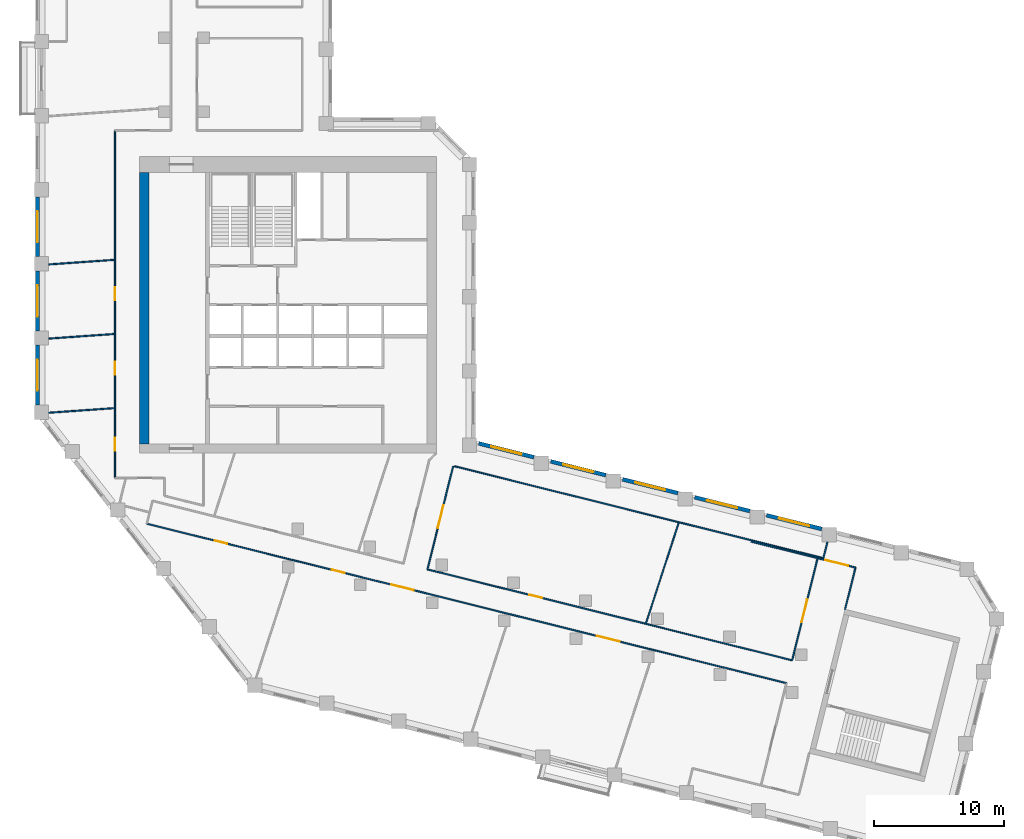
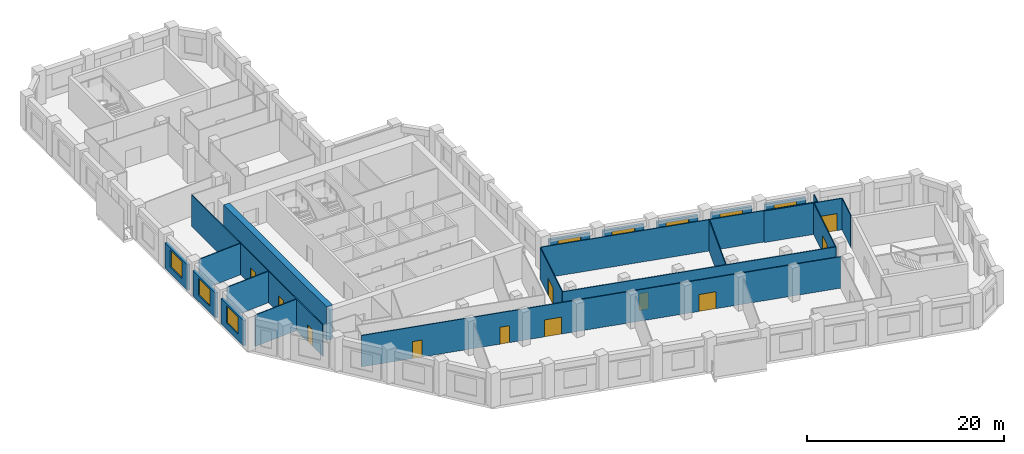
# One storey, part 4 of 10: 23 walls, 11 doors, 8 windows, 19 openings.
"""IFC4 building model written with IfcOpenShell, lengths in metres."""

import ifcopenshell
import ifcopenshell.guid

model = None  # the IFC model being written
_history = None  # IfcOwnerHistory: only IFC2X3 demands one
_inside = {}  # id of a spatial element -> (the spatial element, [elements in it])
_under = {}  # id of a project, library or spatial element -> (it, [spatial elements below it])
_declared = {}  # id of a project -> (the project, [libraries it declares])
_typed = {}  # id of a type object -> (the type object, [elements of that type])
_made_of = {}  # id of a material, layer set ... -> (it, [elements and type objects made of it])


def new_model(schema):
    """Start an empty IFC model of exactly this schema.

    Asked for "IFC4X3", IfcOpenShell would pick the latest addendum, in which some entities
    have other attributes; the version numbers below select the first issue.
    IFC2X3 requires an IfcOwnerHistory on every rooted entity: one is made here for all.
    """
    global model, _history
    if schema == "IFC4X3":
        model = ifcopenshell.file(schema_version=(4, 3, 0, 0))
    else:
        model = ifcopenshell.file(schema=schema)
    _inside.clear()
    _under.clear()
    _declared.clear()
    _typed.clear()
    _made_of.clear()
    _history = None
    if model.schema == "IFC2X3":
        org = make("IfcOrganization", Name="unknown")
        user = make(
            "IfcPersonAndOrganization",
            ThePerson=make("IfcPerson", FamilyName="unknown"),
            TheOrganization=org,
        )
        app = make(
            "IfcApplication",
            ApplicationDeveloper=org,
            Version="unknown",
            ApplicationFullName="unknown",
            ApplicationIdentifier="unknown",
        )
        _history = make(
            "IfcOwnerHistory",
            OwningUser=user,
            OwningApplication=app,
            ChangeAction="ADDED",
            CreationDate=0,
        )
    return model


def make(cls, **values):
    """One entity of the class cls with the attributes given. An attribute that is None is left unset."""
    return model.create_entity(
        cls, **{name: value for name, value in values.items() if value is not None}
    )


def rooted(cls, **values):
    """An entity with a GlobalId (a new one), such as an element, a storey or a relation."""
    return make(cls, GlobalId=ifcopenshell.guid.new(), OwnerHistory=_history, **values)


def si_unit(unit_type, name, prefix=None):
    """IfcSIUnit, for example si_unit("LENGTHUNIT", "METRE", prefix="MILLI")."""
    return make("IfcSIUnit", UnitType=unit_type, Prefix=prefix, Name=name)


def assignment(units):
    """IfcUnitAssignment: the units of a project."""
    return None if units is None else make("IfcUnitAssignment", Units=units)


def point(xyz):
    """IfcCartesianPoint."""
    return None if xyz is None else make("IfcCartesianPoint", Coordinates=xyz)


def direction(xyz):
    """IfcDirection."""
    return None if xyz is None else make("IfcDirection", DirectionRatios=xyz)


def frame(location, z_axis=None, x_axis=None):
    """IfcAxis2Placement3D, a coordinate frame: its origin and axes. An axis left out is left unset."""
    return make(
        "IfcAxis2Placement3D",
        Location=point(location),
        Axis=direction(z_axis),
        RefDirection=direction(x_axis),
    )


def frame_2d(location, x_axis=None):
    """IfcAxis2Placement2D, a coordinate frame in the plane: its origin and x axis."""
    return make(
        "IfcAxis2Placement2D", Location=point(location), RefDirection=direction(x_axis)
    )


def origin():
    """The frame at (0, 0, 0) with its axes left unset."""
    return frame((0.0, 0.0, 0.0))


def place(relative_to, where):
    """IfcLocalPlacement: puts the frame where relative to a parent placement (None: the world)."""
    return make(
        "IfcLocalPlacement", PlacementRelTo=relative_to, RelativePlacement=where
    )


def context(
    kind, dimensions, precision=None, world=None, true_north=None, identifier=None
):
    """IfcGeometricRepresentationContext, for example the 3D "Model" context."""
    return make(
        "IfcGeometricRepresentationContext",
        ContextIdentifier=identifier,
        ContextType=kind,
        CoordinateSpaceDimension=dimensions,
        Precision=precision,
        WorldCoordinateSystem=world,
        TrueNorth=true_north,
    )


def subcontext(parent, identifier, kind, view, scale=None):
    """IfcGeometricRepresentationSubContext, for example "Body" below "Model"."""
    return make(
        "IfcGeometricRepresentationSubContext",
        ContextIdentifier=identifier,
        ContextType=kind,
        ParentContext=parent,
        TargetScale=scale,
        TargetView=view,
    )


def project(units=None, contexts=None):
    """IfcProject with its units and contexts."""
    return rooted(
        "IfcProject",
        Name="project",
        RepresentationContexts=contexts,
        UnitsInContext=assignment(units),
    )


def spatial(cls, under=None, at=None, **own):
    """A site, building, storey or space (cls), placed at a placement, below another one or the project."""
    s = rooted(cls, ObjectPlacement=at, **own)
    if under is not None:
        _under.setdefault(under.id(), (under, []))[1].append(s)
    return s


def profile(cls, at=None, kind="AREA", **sizes):
    """A parametric profile (cls). Its sizes go by their IFC names, for example OverallWidth=200.0."""
    return make(cls, ProfileType=kind, Position=at, **sizes)


def rectangle(**sizes):
    """IfcRectangleProfileDef."""
    return profile("IfcRectangleProfileDef", **sizes)


def extrude(swept, where, along, depth):
    """IfcExtrudedAreaSolid: the profile swept, set in the frame where, extruded along a direction by depth."""
    return make(
        "IfcExtrudedAreaSolid",
        SweptArea=swept,
        Position=where,
        ExtrudedDirection=direction(along),
        Depth=depth,
    )


def shape(context_of_items, identifier, shape_type, items):
    """IfcShapeRepresentation: the items that make up one representation, for example the "Body"."""
    return make(
        "IfcShapeRepresentation",
        ContextOfItems=context_of_items,
        RepresentationIdentifier=identifier,
        RepresentationType=shape_type,
        Items=items,
    )


def material(Name=None, Category=None):
    """IfcMaterial."""
    return make("IfcMaterial", Name=Name, Category=Category)


def layer(
    of_material, thickness, ventilated=None, Name=None, Category=None, Priority=None
):
    """IfcMaterialLayer: one layer of a wall or slab, of a material (None: an air gap)."""
    return make(
        "IfcMaterialLayer",
        Material=of_material,
        LayerThickness=thickness,
        IsVentilated=ventilated,
        Name=Name,
        Category=Category,
        Priority=Priority,
    )


def layer_set(layers, Name=None):
    """IfcMaterialLayerSet."""
    return make("IfcMaterialLayerSet", MaterialLayers=layers, LayerSetName=Name)


def made_of(thing, what):
    """Note that an element or type object is made of a material, layer set ...; save() writes the relation."""
    if what is not None:
        _made_of.setdefault(what.id(), (what, []))[1].append(thing)
    return thing


def type_object(cls, material=None, **own):
    """A type object (cls), such as IfcWallType, which elements share."""
    return made_of(rooted(cls, **own), material)


def element(
    cls,
    number,
    at=None,
    inside=None,
    cuts=None,
    type_object=None,
    material=None,
    context=None,
    identifier="Body",
    shape_type=None,
    held_by="IfcProductDefinitionShape",
    body=None,
    shapes=None,
    **own,
):
    """One element of the class cls, such as IfcWall. Its Tag is "e" and its number.

    at: its placement. inside: the storey or other place that contains it. cuts: it is an
    opening in that element (IfcRelVoidsElement). A single representation is given by context,
    identifier, shape_type and body (its items); several are given by shapes. held_by: the class
    of the entity that holds the representations. save() writes the other relations.
    """
    e = rooted(cls, Tag="e%d" % number, ObjectPlacement=at, **own)
    if body is not None:
        shapes = [shape(context, identifier, shape_type, body)]
    if shapes is not None:
        e.Representation = make(held_by, Representations=shapes)
    if inside is not None:
        _inside.setdefault(inside.id(), (inside, []))[1].append(e)
    if cuts is not None:
        rooted(
            "IfcRelVoidsElement", RelatingBuildingElement=cuts, RelatedOpeningElement=e
        )
    if type_object is not None:
        _typed.setdefault(type_object.id(), (type_object, []))[1].append(e)
    return made_of(e, material)


def fill(opening, filler):
    """IfcRelFillsElement: the door or window that sits in an opening."""
    return rooted(
        "IfcRelFillsElement",
        RelatingOpeningElement=opening,
        RelatedBuildingElement=filler,
    )


def aggregate(whole, parts):
    """IfcRelAggregates: a whole, such as a stair, and the parts it consists of."""
    return rooted("IfcRelAggregates", RelatingObject=whole, RelatedObjects=parts)


def save(model, path):
    """Write the relations noted so far, then the file.

    IfcRelAggregates (storeys below a building ...), IfcRelContainedInSpatialStructure (elements
    in a storey), IfcRelDefinesByType, IfcRelAssociatesMaterial and IfcRelDeclares: one each for
    every whole, place, type object, material and project.
    """
    for whole, parts in _under.values():
        aggregate(whole, parts)
    for where, things in _inside.values():
        rooted(
            "IfcRelContainedInSpatialStructure",
            RelatedElements=things,
            RelatingStructure=where,
        )
    for kind, things in _typed.values():
        rooted("IfcRelDefinesByType", RelatedObjects=things, RelatingType=kind)
    for what, things in _made_of.values():
        rooted("IfcRelAssociatesMaterial", RelatedObjects=things, RelatingMaterial=what)
    for by, libraries in _declared.values():
        rooted("IfcRelDeclares", RelatingContext=by, RelatedDefinitions=libraries)
    model.write(path)


model = new_model("IFC4")

# Units and contexts
model_context = context("Model", 3, precision=1e-05, world=origin(), true_north=direction((0.0, 1.0)))
body_context = subcontext(model_context, "Body", "Model", "MODEL_VIEW")
ifc_project = project(units=[si_unit("LENGTHUNIT", "METRE"), si_unit("AREAUNIT", "SQUARE_METRE"), si_unit("VOLUMEUNIT", "CUBIC_METRE"), si_unit("PLANEANGLEUNIT", "RADIAN"), si_unit("MASSUNIT", "GRAM", prefix="KILO")], contexts=[model_context])

# Site, building, storey
site_placement = place(None, origin())
site = spatial("IfcSite", under=ifc_project, at=site_placement, CompositionType="ELEMENT")
building_placement = place(site_placement, origin())
building = spatial("IfcBuilding", under=site, at=building_placement, Name="Meshkara Civic Tower", CompositionType="ELEMENT")
storey_placement = place(building_placement, frame((0.0, 0.0, 238.199951171875)))
storey = spatial("IfcBuildingStorey", under=building, at=storey_placement, Name="L54", CompositionType="ELEMENT", Elevation=238.199951171875)

# Wall
ifc_material_1 = material(Name="Concrete C60", Category="concrete")
ifc_layer_1 = layer(ifc_material_1, 0.699951171875)
ifc_layer_set_1 = layer_set([ifc_layer_1], Name="Core ring wall 700 C60")
wall_type_1 = type_object("IfcWallType", Name="Core ring wall 700 C60", PredefinedType="SHEAR", material=ifc_layer_set_1)
wall_1_placement = place(storey_placement, frame((8.35009765625, 14.800048828125, -0.300048828125), z_axis=(0.0, 0.0, 1.0), x_axis=(0.0, 1.0, 0.0)))
element("IfcWall", 1, at=wall_1_placement, inside=storey, type_object=wall_type_1, Name="L54-C003", PredefinedType="SHEAR", context=body_context, shape_type="SweptSolid", body=[
    extrude(rectangle(XDim=20.89990234375, YDim=0.699951171875, at=frame_2d((10.449951171875, 0.0))), origin(), (0.0, 0.0, 1.0), 4.2001953125),
])

# Wall, openings, doors
ifc_material_2 = material(Name="Corridor wall 100")
ifc_layer_2 = layer(ifc_material_2, 0.10009765625)
ifc_layer_set_2 = layer_set([ifc_layer_2], Name="Corridor wall 100")
wall_type_2 = type_object("IfcWallType", Name="Corridor wall 100", PredefinedType="PARTITIONING", material=ifc_layer_set_2)
wall_2_placement = place(storey_placement, frame((6.10009765625, 12.199951171875, 0.0), z_axis=(0.0, 0.0, 1.0), x_axis=(0.0, 1.0, 0.0)))
wall_2 = element("IfcWall", 2, at=wall_2_placement, inside=storey, type_object=wall_type_2, Name="L54-W004", PredefinedType="PARTITIONING", context=body_context, shape_type="SweptSolid", body=[
    extrude(rectangle(XDim=26.699951171875, YDim=0.10009765625, at=frame_2d((13.35009765625, 0.0))), origin(), (0.0, 0.0, 1.0), 3.900146484375),
])
opening_1_placement = place(wall_2_placement, frame((2.080078125, 0.0, 0.0)))
opening_1 = element("IfcOpeningElement", 3, at=opening_1_placement, cuts=wall_2, Name="Opening L54-D013", PredefinedType="OPENING", context=body_context, shape_type="SweptSolid", body=[
    extrude(rectangle(XDim=1.0, YDim=2.10009765625, at=frame_2d((0.5, 1.050048828125))), frame((0.0, 0.06005859375, 0.0), z_axis=(0.0, -1.0, 0.0), x_axis=(1.0, 0.0, 0.0)), (0.0, 0.0, 1.0), 0.1201171875),
])
opening_2_placement = place(wall_2_placement, frame((7.946044921875, 0.0, 0.0)))
opening_2 = element("IfcOpeningElement", 4, at=opening_2_placement, cuts=wall_2, Name="Opening L54-D015", PredefinedType="OPENING", context=body_context, shape_type="SweptSolid", body=[
    extrude(rectangle(XDim=1.0, YDim=2.10009765625, at=frame_2d((0.5, 1.050048828125))), frame((0.0, 0.06005859375, 0.0), z_axis=(0.0, -1.0, 0.0), x_axis=(1.0, 0.0, 0.0)), (0.0, 0.0, 1.0), 0.1201171875),
])
opening_3_placement = place(wall_2_placement, frame((13.64599609375, 0.0, 0.0)))
opening_3 = element("IfcOpeningElement", 5, at=opening_3_placement, cuts=wall_2, Name="Opening L54-D016", PredefinedType="OPENING", context=body_context, shape_type="SweptSolid", body=[
    extrude(rectangle(XDim=1.0, YDim=2.10009765625, at=frame_2d((0.5, 1.050048828125))), frame((0.0, 0.06005859375, 0.0), z_axis=(0.0, -1.0, 0.0), x_axis=(1.0, 0.0, 0.0)), (0.0, 0.0, 1.0), 0.1201171875),
])
ifc_material_3 = material(Name="Door 1000 x 2100")
door_type_1 = type_object("IfcDoorType", Name="Door 1000 x 2100", OperationType="SINGLE_SWING_LEFT", PredefinedType="DOOR", material=ifc_material_3)
door_1_placement = place(opening_1_placement, origin())
door_1 = element("IfcDoor", 6, at=door_1_placement, inside=storey, type_object=door_type_1, Name="L54-D013", OperationType="SINGLE_SWING_LEFT", OverallHeight=2.10009765625, OverallWidth=1.0, PredefinedType="DOOR", context=body_context, shape_type="SweptSolid", body=[
    extrude(rectangle(XDim=1.0, YDim=2.10009765625, at=frame_2d((0.5, 1.050048828125))), frame((0.0, 0.02490234375, 0.0), z_axis=(0.0, -1.0, 0.0), x_axis=(1.0, 0.0, 0.0)), (0.0, 0.0, 1.0), 0.050048828125),
])
fill(opening_1, door_1)
door_2_placement = place(opening_2_placement, origin())
door_2 = element("IfcDoor", 7, at=door_2_placement, inside=storey, type_object=door_type_1, Name="L54-D015", OperationType="SINGLE_SWING_RIGHT", OverallHeight=2.10009765625, OverallWidth=1.0, PredefinedType="DOOR", context=body_context, shape_type="SweptSolid", body=[
    extrude(rectangle(XDim=1.0, YDim=2.10009765625, at=frame_2d((0.5, 1.050048828125))), frame((0.0, 0.02490234375, 0.0), z_axis=(0.0, -1.0, 0.0), x_axis=(1.0, 0.0, 0.0)), (0.0, 0.0, 1.0), 0.050048828125),
])
fill(opening_2, door_2)
door_3_placement = place(opening_3_placement, origin())
door_3 = element("IfcDoor", 8, at=door_3_placement, inside=storey, type_object=door_type_1, Name="L54-D016", OperationType="SINGLE_SWING_RIGHT", OverallHeight=2.10009765625, OverallWidth=1.0, PredefinedType="DOOR", context=body_context, shape_type="SweptSolid", body=[
    extrude(rectangle(XDim=1.0, YDim=2.10009765625, at=frame_2d((0.5, 1.050048828125))), frame((0.0, 0.02490234375, 0.0), z_axis=(0.0, -1.0, 0.0), x_axis=(1.0, 0.0, 0.0)), (0.0, 0.0, 1.0), 0.050048828125),
])
fill(opening_3, door_3)

wall_3_placement = place(storey_placement, frame((8.550048828125, 8.68505859375, 0.0), z_axis=(0.0, 0.0, 1.0), x_axis=(0.970297603286, -0.241914367199, 0.0)))
wall_3 = element("IfcWall", 9, at=wall_3_placement, inside=storey, type_object=wall_type_2, Name="L54-W006", PredefinedType="PARTITIONING", context=body_context, shape_type="SweptSolid", body=[
    extrude(rectangle(XDim=50.675048828125, YDim=0.10009765625, at=frame_2d((25.33740234375, 0.0))), origin(), (0.0, 0.0, 1.0), 3.900146484375),
])
opening_4_placement = place(wall_3_placement, frame((35.656982421875, 0.0, 0.0)))
opening_4 = element("IfcOpeningElement", 10, at=opening_4_placement, cuts=wall_3, Name="Opening L54-D003", PredefinedType="OPENING", context=body_context, shape_type="SweptSolid", body=[
    extrude(rectangle(XDim=1.800048828125, YDim=2.10009765625, at=frame_2d((0.89990234375, 1.050048828125))), frame((0.0, 0.06005859375, 0.0), z_axis=(0.0, -1.0, 0.0), x_axis=(1.0, 0.0, 0.0)), (0.0, 0.0, 1.0), 0.1201171875),
])
opening_5_placement = place(wall_3_placement, frame((14.656982421875, 0.0, 0.0)))
opening_5 = element("IfcOpeningElement", 11, at=opening_5_placement, cuts=wall_3, Name="Opening L54-D004", PredefinedType="OPENING", context=body_context, shape_type="SweptSolid", body=[
    extrude(rectangle(XDim=1.0, YDim=2.10009765625, at=frame_2d((0.5, 1.050048828125))), frame((0.0, 0.06005859375, 0.0), z_axis=(0.0, -1.0, 0.0), x_axis=(1.0, 0.0, 0.0)), (0.0, 0.0, 1.0), 0.1201171875),
])
opening_6_placement = place(wall_3_placement, frame((19.35693359375, 0.0, 0.0)))
opening_6 = element("IfcOpeningElement", 12, at=opening_6_placement, cuts=wall_3, Name="Opening L54-D005", PredefinedType="OPENING", context=body_context, shape_type="SweptSolid", body=[
    extrude(rectangle(XDim=1.800048828125, YDim=2.10009765625, at=frame_2d((0.89990234375, 1.050048828125))), frame((0.0, 0.06005859375, 0.0), z_axis=(0.0, -1.0, 0.0), x_axis=(1.0, 0.0, 0.0)), (0.0, 0.0, 1.0), 0.1201171875),
])
opening_7_placement = place(wall_3_placement, frame((5.3798828125, 0.0, 0.0)))
opening_7 = element("IfcOpeningElement", 13, at=opening_7_placement, cuts=wall_3, Name="Opening L54-D009", PredefinedType="OPENING", context=body_context, shape_type="SweptSolid", body=[
    extrude(rectangle(XDim=1.0, YDim=2.10009765625, at=frame_2d((0.5, 1.050048828125))), frame((0.0, 0.06005859375, 0.0), z_axis=(0.0, -1.0, 0.0), x_axis=(1.0, 0.0, 0.0)), (0.0, 0.0, 1.0), 0.1201171875),
])
door_4_placement = place(opening_5_placement, origin())
door_4 = element("IfcDoor", 14, at=door_4_placement, inside=storey, type_object=door_type_1, Name="L54-D004", OperationType="SINGLE_SWING_RIGHT", OverallHeight=2.10009765625, OverallWidth=1.0, PredefinedType="DOOR", context=body_context, shape_type="SweptSolid", body=[
    extrude(rectangle(XDim=1.0, YDim=2.10009765625, at=frame_2d((0.5, 1.050048828125))), frame((0.0, 0.02490234375, 0.0), z_axis=(0.0, -1.0, 0.0), x_axis=(1.0, 0.0, 0.0)), (0.0, 0.0, 1.0), 0.050048828125),
])
fill(opening_5, door_4)
door_5_placement = place(opening_7_placement, origin())
door_5 = element("IfcDoor", 15, at=door_5_placement, inside=storey, type_object=door_type_1, Name="L54-D009", OperationType="SINGLE_SWING_LEFT", OverallHeight=2.10009765625, OverallWidth=1.0, PredefinedType="DOOR", context=body_context, shape_type="SweptSolid", body=[
    extrude(rectangle(XDim=1.0, YDim=2.10009765625, at=frame_2d((0.5, 1.050048828125))), frame((0.0, 0.02490234375, 0.0), z_axis=(0.0, -1.0, 0.0), x_axis=(1.0, 0.0, 0.0)), (0.0, 0.0, 1.0), 0.050048828125),
])
fill(opening_7, door_5)
ifc_material_4 = material(Name="Door pair 1800 x 2100")
door_type_2 = type_object("IfcDoorType", Name="Door pair 1800 x 2100", OperationType="SINGLE_SWING_LEFT", PredefinedType="DOOR", material=ifc_material_4)
door_6_placement = place(opening_4_placement, origin())
door_6 = element("IfcDoor", 16, at=door_6_placement, inside=storey, type_object=door_type_2, Name="L54-D003", OperationType="DOUBLE_DOOR_SINGLE_SWING", OverallHeight=2.10009765625, OverallWidth=1.800048828125, PredefinedType="DOOR", context=body_context, shape_type="SweptSolid", body=[
    extrude(rectangle(XDim=1.800048828125, YDim=2.10009765625, at=frame_2d((0.89990234375, 1.050048828125))), frame((0.0, 0.02490234375, 0.0), z_axis=(0.0, -1.0, 0.0), x_axis=(1.0, 0.0, 0.0)), (0.0, 0.0, 1.0), 0.050048828125),
])
fill(opening_4, door_6)
door_7_placement = place(opening_6_placement, origin())
door_7 = element("IfcDoor", 17, at=door_7_placement, inside=storey, type_object=door_type_2, Name="L54-D005", OperationType="DOUBLE_DOOR_SINGLE_SWING", OverallHeight=2.10009765625, OverallWidth=1.800048828125, PredefinedType="DOOR", context=body_context, shape_type="SweptSolid", body=[
    extrude(rectangle(XDim=1.800048828125, YDim=2.10009765625, at=frame_2d((0.89990234375, 1.050048828125))), frame((0.0, 0.02490234375, 0.0), z_axis=(0.0, -1.0, 0.0), x_axis=(1.0, 0.0, 0.0)), (0.0, 0.0, 1.0), 0.050048828125),
])
fill(opening_6, door_7)

# Wall, opening, door
wall_4_placement = place(storey_placement, frame((30.1201171875, 5.1708984375, 0.0), z_axis=(0.0, 0.0, 1.0), x_axis=(0.970298856921, -0.241909338922, 0.0)))
wall_4 = element("IfcWall", 18, at=wall_4_placement, inside=storey, type_object=wall_type_2, Name="L54-W025", PredefinedType="PARTITIONING", context=body_context, shape_type="SweptSolid", body=[
    extrude(rectangle(XDim=28.89501953125, YDim=0.10009765625, at=frame_2d((14.447509765625, 0.0))), origin(), (0.0, 0.0, 1.0), 3.900146484375),
])
opening_8_placement = place(wall_4_placement, frame((8.080078125, 0.0, 0.0)))
opening_8 = element("IfcOpeningElement", 19, at=opening_8_placement, cuts=wall_4, Name="Opening L54-D006", PredefinedType="OPENING", context=body_context, shape_type="SweptSolid", body=[
    extrude(rectangle(XDim=1.0, YDim=2.10009765625, at=frame_2d((0.5, 1.050048828125))), frame((0.0, 0.06005859375, 0.0), z_axis=(0.0, -1.0, 0.0), x_axis=(1.0, 0.0, 0.0)), (0.0, 0.0, 1.0), 0.1201171875),
])
door_8_placement = place(opening_8_placement, origin())
door_8 = element("IfcDoor", 20, at=door_8_placement, inside=storey, type_object=door_type_1, Name="L54-D006", OperationType="SINGLE_SWING_LEFT", OverallHeight=2.10009765625, OverallWidth=1.0, PredefinedType="DOOR", context=body_context, shape_type="SweptSolid", body=[
    extrude(rectangle(XDim=1.0, YDim=2.10009765625, at=frame_2d((0.5, 1.050048828125))), frame((0.0, 0.02490234375, 0.0), z_axis=(0.0, -1.0, 0.0), x_axis=(1.0, 0.0, 0.0)), (0.0, 0.0, 1.0), 0.050048828125),
])
fill(opening_8, door_8)

wall_5_placement = place(storey_placement, frame((30.1201171875, 5.1708984375, 0.0), z_axis=(0.0, 0.0, 1.0), x_axis=(0.241902913229, 0.970300458915, 0.0)))
wall_5 = element("IfcWall", 21, at=wall_5_placement, inside=storey, type_object=wall_type_2, Name="L54-W026", PredefinedType="PARTITIONING", context=body_context, shape_type="SweptSolid", body=[
    extrude(rectangle(XDim=8.171875, YDim=0.10009765625, at=frame_2d((4.0859375, 0.0))), origin(), (0.0, 0.0, 1.0), 3.900146484375),
])
opening_9_placement = place(wall_5_placement, frame((3.280029296875, 0.0, 0.0)))
opening_9 = element("IfcOpeningElement", 22, at=opening_9_placement, cuts=wall_5, Name="Opening L54-D012", PredefinedType="OPENING", context=body_context, shape_type="SweptSolid", body=[
    extrude(rectangle(XDim=1.800048828125, YDim=2.10009765625, at=frame_2d((0.89990234375, 1.050048828125))), frame((0.0, 0.06005859375, 0.0), z_axis=(0.0, -1.0, 0.0), x_axis=(1.0, 0.0, 0.0)), (0.0, 0.0, 1.0), 0.1201171875),
])
door_9_placement = place(opening_9_placement, origin())
door_9 = element("IfcDoor", 23, at=door_9_placement, inside=storey, type_object=door_type_2, Name="L54-D012", OperationType="DOUBLE_DOOR_SINGLE_SWING", OverallHeight=2.10009765625, OverallWidth=1.800048828125, PredefinedType="DOOR", context=body_context, shape_type="SweptSolid", body=[
    extrude(rectangle(XDim=1.800048828125, YDim=2.10009765625, at=frame_2d((0.89990234375, 1.050048828125))), frame((0.0, 0.02490234375, 0.0), z_axis=(0.0, -1.0, 0.0), x_axis=(1.0, 0.0, 0.0)), (0.0, 0.0, 1.0), 0.050048828125),
])
fill(opening_9, door_9)

# Wall
wall_6_placement = place(storey_placement, frame((32.196044921875, 13.10009765625, 0.0), z_axis=(0.0, 0.0, 1.0), x_axis=(0.970294627208, -0.241926303678, 0.0)))
element("IfcWall", 24, at=wall_6_placement, inside=storey, type_object=wall_type_2, Name="L54-W030", PredefinedType="PARTITIONING", context=body_context, shape_type="SweptSolid", body=[
    extrude(rectangle(XDim=29.22802734375, YDim=0.10009765625, at=frame_2d((14.614013671875, 0.0))), origin(), (0.0, 0.0, 1.0), 3.900146484375),
])

# Wall, opening, door
wall_7_placement = place(storey_placement, frame((60.115966796875, 6.035888671875, 0.0), z_axis=(0.0, 0.0, 1.0), x_axis=(-0.241982110561, -0.970280711015, 0.0)))
wall_7 = element("IfcWall", 25, at=wall_7_placement, inside=storey, type_object=wall_type_2, Name="L54-W034", PredefinedType="PARTITIONING", context=body_context, shape_type="SweptSolid", body=[
    extrude(rectangle(XDim=8.095458984375, YDim=0.10009765625, at=frame_2d((4.0478515625, 0.0))), origin(), (0.0, 0.0, 1.0), 3.900146484375),
])
opening_10_placement = place(wall_7_placement, frame((3.280029296875, 0.0, 0.0)))
opening_10 = element("IfcOpeningElement", 26, at=opening_10_placement, cuts=wall_7, Name="Opening L54-D007", PredefinedType="OPENING", context=body_context, shape_type="SweptSolid", body=[
    extrude(rectangle(XDim=1.800048828125, YDim=2.10009765625, at=frame_2d((0.89990234375, 1.050048828125))), frame((0.0, 0.06005859375, 0.0), z_axis=(0.0, -1.0, 0.0), x_axis=(1.0, 0.0, 0.0)), (0.0, 0.0, 1.0), 0.1201171875),
])
door_10_placement = place(opening_10_placement, origin())
door_10 = element("IfcDoor", 27, at=door_10_placement, inside=storey, type_object=door_type_2, Name="L54-D007", OperationType="DOUBLE_DOOR_SINGLE_SWING", OverallHeight=2.10009765625, OverallWidth=1.800048828125, PredefinedType="DOOR", context=body_context, shape_type="SweptSolid", body=[
    extrude(rectangle(XDim=1.800048828125, YDim=2.10009765625, at=frame_2d((0.89990234375, 1.050048828125))), frame((0.0, 0.02490234375, 0.0), z_axis=(0.0, -1.0, 0.0), x_axis=(1.0, 0.0, 0.0)), (0.0, 0.0, 1.0), 0.050048828125),
])
fill(opening_10, door_10)

# Walls
wall_8_placement = place(storey_placement, frame((60.555908203125, 6.029052734375, 0.0), z_axis=(0.0, 0.0, 1.0), x_axis=(0.24168476558, 0.970354818655, 0.0)))
element("IfcWall", 28, at=wall_8_placement, inside=storey, type_object=wall_type_2, Name="L54-W035", PredefinedType="PARTITIONING", context=body_context, shape_type="SweptSolid", body=[
    extrude(rectangle(XDim=1.282958984375, YDim=0.10009765625, at=frame_2d((0.6416015625, 0.0))), origin(), (0.0, 0.0, 1.0), 3.900146484375),
])
wall_9_placement = place(storey_placement, frame((62.22900390625, 2.10791015625, 0.0), z_axis=(0.0, 0.0, 1.0), x_axis=(0.241839284064, 0.97031631991, 0.0)))
element("IfcWall", 29, at=wall_9_placement, inside=storey, type_object=wall_type_2, Name="L54-W036", PredefinedType="PARTITIONING", context=body_context, shape_type="SweptSolid", body=[
    extrude(rectangle(XDim=3.300048828125, YDim=0.10009765625, at=frame_2d((1.64990234375, 0.0))), origin(), (0.0, 0.0, 1.0), 3.900146484375),
])

# Wall, opening, door
wall_10_placement = place(storey_placement, frame((63.027099609375, 5.31005859375, 0.0), z_axis=(0.0, 0.0, 1.0), x_axis=(-0.970295479982, 0.241922883427, 0.0)))
wall_10 = element("IfcWall", 30, at=wall_10_placement, inside=storey, type_object=wall_type_2, Name="L54-W037", PredefinedType="PARTITIONING", context=body_context, shape_type="SweptSolid", body=[
    extrude(rectangle(XDim=3.000244140625, YDim=0.10009765625, at=frame_2d((1.5, 0.0))), origin(), (0.0, 0.0, 1.0), 3.900146484375),
])
opening_11_placement = place(wall_10_placement, frame((0.580078125, 0.0, 0.0)))
opening_11 = element("IfcOpeningElement", 31, at=opening_11_placement, cuts=wall_10, Name="Opening L54-D008", PredefinedType="OPENING", context=body_context, shape_type="SweptSolid", body=[
    extrude(rectangle(XDim=1.800048828125, YDim=2.10009765625, at=frame_2d((0.89990234375, 1.050048828125))), frame((0.0, 0.06005859375, 0.0), z_axis=(0.0, -1.0, 0.0), x_axis=(1.0, 0.0, 0.0)), (0.0, 0.0, 1.0), 0.1201171875),
])
door_11_placement = place(opening_11_placement, origin())
door_11 = element("IfcDoor", 32, at=door_11_placement, inside=storey, type_object=door_type_2, Name="L54-D008", OperationType="DOUBLE_DOOR_SINGLE_SWING", OverallHeight=2.10009765625, OverallWidth=1.800048828125, PredefinedType="DOOR", context=body_context, shape_type="SweptSolid", body=[
    extrude(rectangle(XDim=1.800048828125, YDim=2.10009765625, at=frame_2d((0.89990234375, 1.050048828125))), frame((0.0, 0.02490234375, 0.0), z_axis=(0.0, -1.0, 0.0), x_axis=(1.0, 0.0, 0.0)), (0.0, 0.0, 1.0), 0.050048828125),
])
fill(opening_11, door_11)

# Wall, opening, window
ifc_material_5 = material(Name="Insulated infill panel with bronze anodised aluminium cladding", Category="aluminium")
ifc_layer_3 = layer(ifc_material_5, 0.300048828125)
ifc_layer_set_3 = layer_set([ifc_layer_3], Name="EXTERNAL INFILL WALL 300")
wall_type_3 = type_object("IfcWallType", Name="EXTERNAL INFILL WALL 300", PredefinedType="SOLIDWALL", material=ifc_layer_set_3)
wall_11_placement = place(storey_placement, frame((60.428955078125, 8.277099609375, 0.0), z_axis=(0.0, 0.0, 1.0), x_axis=(-0.97030676369, 0.241877622649, 0.0)))
wall_11 = element("IfcWall", 33, at=wall_11_placement, inside=storey, type_object=wall_type_3, Name="External wall", PredefinedType="SOLIDWALL", context=body_context, shape_type="SweptSolid", body=[
    extrude(rectangle(XDim=4.365478515625, YDim=0.300048828125, at=frame_2d((2.1826171875, 0.0))), origin(), (0.0, 0.0, 1.0), 3.150146484375),
])
opening_12_placement = place(wall_11_placement, frame((0.98291015625, 0.0, 0.800048828125)))
opening_12 = element("IfcOpeningElement", 34, at=opening_12_placement, cuts=wall_11, Name="Opening W7", PredefinedType="OPENING", context=body_context, shape_type="SweptSolid", body=[
    extrude(rectangle(XDim=2.39990234375, YDim=2.10009765625, at=frame_2d((1.199951171875, 1.050048828125))), frame((0.0, 0.159912109375, 0.0), z_axis=(0.0, -1.0, 0.0), x_axis=(1.0, 0.0, 0.0)), (0.0, 0.0, 1.0), 0.320068359375),
])
ifc_material_6 = material(Name="Tinted double glazing", Category="glass")
window_type = type_object("IfcWindowType", Name="WINDOW 2400x2100", PartitioningType="DOUBLE_PANEL_VERTICAL", PredefinedType="WINDOW", material=ifc_material_6)
window_1_placement = place(opening_12_placement, origin())
window_1 = element("IfcWindow", 35, at=window_1_placement, inside=storey, type_object=window_type, Name="Window", OverallHeight=2.10009765625, OverallWidth=2.39990234375, PartitioningType="DOUBLE_PANEL_VERTICAL", PredefinedType="WINDOW", context=body_context, shape_type="SweptSolid", body=[
    extrude(rectangle(XDim=2.39990234375, YDim=2.10009765625, at=frame_2d((1.199951171875, 1.050048828125))), frame((0.0, 0.030029296875, 0.0), z_axis=(0.0, -1.0, 0.0), x_axis=(1.0, 0.0, 0.0)), (0.0, 0.0, 1.0), 0.06005859375),
])
fill(opening_12, window_1)

wall_12_placement = place(storey_placement, frame((54.89892578125, 9.656005859375, 0.0), z_axis=(0.0, 0.0, 1.0), x_axis=(-0.970319847058, 0.241825131873, 0.0)))
wall_12 = element("IfcWall", 36, at=wall_12_placement, inside=storey, type_object=wall_type_3, Name="External wall", PredefinedType="SOLIDWALL", context=body_context, shape_type="SweptSolid", body=[
    extrude(rectangle(XDim=4.366455078125, YDim=0.300048828125, at=frame_2d((2.18310546875, 0.0))), origin(), (0.0, 0.0, 1.0), 3.150146484375),
])
opening_13_placement = place(wall_12_placement, frame((0.98291015625, 0.0, 0.800048828125)))
opening_13 = element("IfcOpeningElement", 37, at=opening_13_placement, cuts=wall_12, Name="Opening W7", PredefinedType="OPENING", context=body_context, shape_type="SweptSolid", body=[
    extrude(rectangle(XDim=2.39990234375, YDim=2.10009765625, at=frame_2d((1.199951171875, 1.050048828125))), frame((0.0, 0.159912109375, 0.0), z_axis=(0.0, -1.0, 0.0), x_axis=(1.0, 0.0, 0.0)), (0.0, 0.0, 1.0), 0.320068359375),
])
window_2_placement = place(opening_13_placement, origin())
window_2 = element("IfcWindow", 38, at=window_2_placement, inside=storey, type_object=window_type, Name="Window", OverallHeight=2.10009765625, OverallWidth=2.39990234375, PartitioningType="DOUBLE_PANEL_VERTICAL", PredefinedType="WINDOW", context=body_context, shape_type="SweptSolid", body=[
    extrude(rectangle(XDim=2.39990234375, YDim=2.10009765625, at=frame_2d((1.199951171875, 1.050048828125))), frame((0.0, 0.030029296875, 0.0), z_axis=(0.0, -1.0, 0.0), x_axis=(1.0, 0.0, 0.0)), (0.0, 0.0, 1.0), 0.06005859375),
])
fill(opening_13, window_2)

wall_13_placement = place(storey_placement, frame((49.367919921875, 11.034912109375, 0.0), z_axis=(0.0, 0.0, 1.0), x_axis=(-0.970306725873, 0.241877774353, 0.0)))
wall_13 = element("IfcWall", 39, at=wall_13_placement, inside=storey, type_object=wall_type_3, Name="External wall", PredefinedType="SOLIDWALL", context=body_context, shape_type="SweptSolid", body=[
    extrude(rectangle(XDim=4.366455078125, YDim=0.300048828125, at=frame_2d((2.18310546875, 0.0))), origin(), (0.0, 0.0, 1.0), 3.150146484375),
])
opening_14_placement = place(wall_13_placement, frame((0.98291015625, 0.0, 0.800048828125)))
opening_14 = element("IfcOpeningElement", 40, at=opening_14_placement, cuts=wall_13, Name="Opening W7", PredefinedType="OPENING", context=body_context, shape_type="SweptSolid", body=[
    extrude(rectangle(XDim=2.39990234375, YDim=2.10009765625, at=frame_2d((1.199951171875, 1.050048828125))), frame((0.0, 0.159912109375, 0.0), z_axis=(0.0, -1.0, 0.0), x_axis=(1.0, 0.0, 0.0)), (0.0, 0.0, 1.0), 0.320068359375),
])
window_3_placement = place(opening_14_placement, origin())
window_3 = element("IfcWindow", 41, at=window_3_placement, inside=storey, type_object=window_type, Name="Window", OverallHeight=2.10009765625, OverallWidth=2.39990234375, PartitioningType="DOUBLE_PANEL_VERTICAL", PredefinedType="WINDOW", context=body_context, shape_type="SweptSolid", body=[
    extrude(rectangle(XDim=2.39990234375, YDim=2.10009765625, at=frame_2d((1.199951171875, 1.050048828125))), frame((0.0, 0.030029296875, 0.0), z_axis=(0.0, -1.0, 0.0), x_axis=(1.0, 0.0, 0.0)), (0.0, 0.0, 1.0), 0.06005859375),
])
fill(opening_14, window_3)

wall_14_placement = place(storey_placement, frame((43.8369140625, 12.4140625, 0.0), z_axis=(0.0, 0.0, 1.0), x_axis=(-0.97030676369, 0.241877622649, 0.0)))
wall_14 = element("IfcWall", 42, at=wall_14_placement, inside=storey, type_object=wall_type_3, Name="External wall", PredefinedType="SOLIDWALL", context=body_context, shape_type="SweptSolid", body=[
    extrude(rectangle(XDim=4.365478515625, YDim=0.300048828125, at=frame_2d((2.1826171875, 0.0))), origin(), (0.0, 0.0, 1.0), 3.150146484375),
])
opening_15_placement = place(wall_14_placement, frame((0.98291015625, 0.0, 0.800048828125)))
opening_15 = element("IfcOpeningElement", 43, at=opening_15_placement, cuts=wall_14, Name="Opening W7", PredefinedType="OPENING", context=body_context, shape_type="SweptSolid", body=[
    extrude(rectangle(XDim=2.39990234375, YDim=2.10009765625, at=frame_2d((1.199951171875, 1.050048828125))), frame((0.0, 0.159912109375, 0.0), z_axis=(0.0, -1.0, 0.0), x_axis=(1.0, 0.0, 0.0)), (0.0, 0.0, 1.0), 0.320068359375),
])
window_4_placement = place(opening_15_placement, origin())
window_4 = element("IfcWindow", 44, at=window_4_placement, inside=storey, type_object=window_type, Name="Window", OverallHeight=2.10009765625, OverallWidth=2.39990234375, PartitioningType="DOUBLE_PANEL_VERTICAL", PredefinedType="WINDOW", context=body_context, shape_type="SweptSolid", body=[
    extrude(rectangle(XDim=2.39990234375, YDim=2.10009765625, at=frame_2d((1.199951171875, 1.050048828125))), frame((0.0, 0.030029296875, 0.0), z_axis=(0.0, -1.0, 0.0), x_axis=(1.0, 0.0, 0.0)), (0.0, 0.0, 1.0), 0.06005859375),
])
fill(opening_15, window_4)

wall_15_placement = place(storey_placement, frame((38.306884765625, 13.79296875, 0.0), z_axis=(0.0, 0.0, 1.0), x_axis=(-0.970306725873, 0.241877774353, 0.0)))
wall_15 = element("IfcWall", 45, at=wall_15_placement, inside=storey, type_object=wall_type_3, Name="External wall", PredefinedType="SOLIDWALL", context=body_context, shape_type="SweptSolid", body=[
    extrude(rectangle(XDim=4.366455078125, YDim=0.300048828125, at=frame_2d((2.18310546875, 0.0))), origin(), (0.0, 0.0, 1.0), 3.150146484375),
])
opening_16_placement = place(wall_15_placement, frame((0.98291015625, 0.0, 0.800048828125)))
opening_16 = element("IfcOpeningElement", 46, at=opening_16_placement, cuts=wall_15, Name="Opening W7", PredefinedType="OPENING", context=body_context, shape_type="SweptSolid", body=[
    extrude(rectangle(XDim=2.39990234375, YDim=2.10009765625, at=frame_2d((1.199951171875, 1.050048828125))), frame((0.0, 0.159912109375, 0.0), z_axis=(0.0, -1.0, 0.0), x_axis=(1.0, 0.0, 0.0)), (0.0, 0.0, 1.0), 0.320068359375),
])
window_5_placement = place(opening_16_placement, origin())
window_5 = element("IfcWindow", 47, at=window_5_placement, inside=storey, type_object=window_type, Name="Window", OverallHeight=2.10009765625, OverallWidth=2.39990234375, PartitioningType="DOUBLE_PANEL_VERTICAL", PredefinedType="WINDOW", context=body_context, shape_type="SweptSolid", body=[
    extrude(rectangle(XDim=2.39990234375, YDim=2.10009765625, at=frame_2d((1.199951171875, 1.050048828125))), frame((0.0, 0.030029296875, 0.0), z_axis=(0.0, -1.0, 0.0), x_axis=(1.0, 0.0, 0.0)), (0.0, 0.0, 1.0), 0.06005859375),
])
fill(opening_16, window_5)

wall_16_placement = place(storey_placement, frame((0.14990234375, 33.804931640625, 0.0), z_axis=(0.0, 0.0, 1.0), x_axis=(0.0, -1.0, 0.0)))
wall_16 = element("IfcWall", 48, at=wall_16_placement, inside=storey, type_object=wall_type_3, Name="External wall", PredefinedType="SOLIDWALL", context=body_context, shape_type="SweptSolid", body=[
    extrude(rectangle(XDim=4.599853515625, YDim=0.300048828125, at=frame_2d((2.2998046875, 0.0))), origin(), (0.0, 0.0, 1.0), 3.150146484375),
])
opening_17_placement = place(wall_16_placement, frame((1.10009765625, 0.0, 0.800048828125)))
opening_17 = element("IfcOpeningElement", 49, at=opening_17_placement, cuts=wall_16, Name="Opening W7", PredefinedType="OPENING", context=body_context, shape_type="SweptSolid", body=[
    extrude(rectangle(XDim=2.39990234375, YDim=2.10009765625, at=frame_2d((1.199951171875, 1.050048828125))), frame((0.0, 0.159912109375, 0.0), z_axis=(0.0, -1.0, 0.0), x_axis=(1.0, 0.0, 0.0)), (0.0, 0.0, 1.0), 0.320068359375),
])
window_6_placement = place(opening_17_placement, origin())
window_6 = element("IfcWindow", 50, at=window_6_placement, inside=storey, type_object=window_type, Name="Window", OverallHeight=2.10009765625, OverallWidth=2.39990234375, PartitioningType="DOUBLE_PANEL_VERTICAL", PredefinedType="WINDOW", context=body_context, shape_type="SweptSolid", body=[
    extrude(rectangle(XDim=2.39990234375, YDim=2.10009765625, at=frame_2d((1.199951171875, 1.050048828125))), frame((0.0, 0.030029296875, 0.0), z_axis=(0.0, -1.0, 0.0), x_axis=(1.0, 0.0, 0.0)), (0.0, 0.0, 1.0), 0.06005859375),
])
fill(opening_17, window_6)

wall_17_placement = place(storey_placement, frame((0.14990234375, 28.10498046875, 0.0), z_axis=(0.0, 0.0, 1.0), x_axis=(0.0, -1.0, 0.0)))
wall_17 = element("IfcWall", 51, at=wall_17_placement, inside=storey, type_object=wall_type_3, Name="External wall", PredefinedType="SOLIDWALL", context=body_context, shape_type="SweptSolid", body=[
    extrude(rectangle(XDim=4.60009765625, YDim=0.300048828125, at=frame_2d((2.300048828125, 0.0))), origin(), (0.0, 0.0, 1.0), 3.150146484375),
])
opening_18_placement = place(wall_17_placement, frame((1.10009765625, 0.0, 0.800048828125)))
opening_18 = element("IfcOpeningElement", 52, at=opening_18_placement, cuts=wall_17, Name="Opening W7", PredefinedType="OPENING", context=body_context, shape_type="SweptSolid", body=[
    extrude(rectangle(XDim=2.39990234375, YDim=2.10009765625, at=frame_2d((1.199951171875, 1.050048828125))), frame((0.0, 0.159912109375, 0.0), z_axis=(0.0, -1.0, 0.0), x_axis=(1.0, 0.0, 0.0)), (0.0, 0.0, 1.0), 0.320068359375),
])
window_7_placement = place(opening_18_placement, origin())
window_7 = element("IfcWindow", 53, at=window_7_placement, inside=storey, type_object=window_type, Name="Window", OverallHeight=2.10009765625, OverallWidth=2.39990234375, PartitioningType="DOUBLE_PANEL_VERTICAL", PredefinedType="WINDOW", context=body_context, shape_type="SweptSolid", body=[
    extrude(rectangle(XDim=2.39990234375, YDim=2.10009765625, at=frame_2d((1.199951171875, 1.050048828125))), frame((0.0, 0.030029296875, 0.0), z_axis=(0.0, -1.0, 0.0), x_axis=(1.0, 0.0, 0.0)), (0.0, 0.0, 1.0), 0.06005859375),
])
fill(opening_18, window_7)

wall_18_placement = place(storey_placement, frame((0.14990234375, 22.405029296875, 0.0), z_axis=(0.0, 0.0, 1.0), x_axis=(0.0, -1.0, 0.0)))
wall_18 = element("IfcWall", 54, at=wall_18_placement, inside=storey, type_object=wall_type_3, Name="External wall", PredefinedType="SOLIDWALL", context=body_context, shape_type="SweptSolid", body=[
    extrude(rectangle(XDim=4.60009765625, YDim=0.300048828125, at=frame_2d((2.300048828125, 0.0))), origin(), (0.0, 0.0, 1.0), 3.150146484375),
])
opening_19_placement = place(wall_18_placement, frame((1.10009765625, 0.0, 0.800048828125)))
opening_19 = element("IfcOpeningElement", 55, at=opening_19_placement, cuts=wall_18, Name="Opening W7", PredefinedType="OPENING", context=body_context, shape_type="SweptSolid", body=[
    extrude(rectangle(XDim=2.39990234375, YDim=2.10009765625, at=frame_2d((1.199951171875, 1.050048828125))), frame((0.0, 0.159912109375, 0.0), z_axis=(0.0, -1.0, 0.0), x_axis=(1.0, 0.0, 0.0)), (0.0, 0.0, 1.0), 0.320068359375),
])
window_8_placement = place(opening_19_placement, origin())
window_8 = element("IfcWindow", 56, at=window_8_placement, inside=storey, type_object=window_type, Name="Window", OverallHeight=2.10009765625, OverallWidth=2.39990234375, PartitioningType="DOUBLE_PANEL_VERTICAL", PredefinedType="WINDOW", context=body_context, shape_type="SweptSolid", body=[
    extrude(rectangle(XDim=2.39990234375, YDim=2.10009765625, at=frame_2d((1.199951171875, 1.050048828125))), frame((0.0, 0.030029296875, 0.0), z_axis=(0.0, -1.0, 0.0), x_axis=(1.0, 0.0, 0.0)), (0.0, 0.0, 1.0), 0.06005859375),
])
fill(opening_19, window_8)

# Walls
ifc_material_7 = material(Name="Partition 100")
ifc_layer_4 = layer(ifc_material_7, 0.10009765625)
ifc_layer_set_4 = layer_set([ifc_layer_4], Name="Partition 100")
wall_type_4 = type_object("IfcWallType", Name="Partition 100", PredefinedType="PARTITIONING", material=ifc_layer_set_4)
for number, where, z_axis, x_axis, name in (
    (57, (6.047119140625, 17.56591796875, 0.0), (0.0, 0.0, 1.0), (-0.9975626968, -0.06977582642, 0.0), "L54-W040"),
    (58, (6.047119140625, 23.26611328125, 0.0), (0.0, 0.0, 1.0), (-0.9975626968, -0.06977582642, 0.0), "L54-W041"),
    (59, (6.047119140625, 28.966064453125, 0.0), (0.0, 0.0, 1.0), (-0.9975626968, -0.06977582642, 0.0), "L54-W042"),
):
    element("IfcWall", number, at=place(storey_placement, frame(where, z_axis=z_axis, x_axis=x_axis)), inside=storey, type_object=wall_type_4, Name=name, PredefinedType="PARTITIONING", context=body_context, shape_type="SweptSolid", body=[
        extrude(rectangle(XDim=5.0595703125, YDim=0.10009765625, at=frame_2d((2.52978515625, 0.0))), origin(), (0.0, 0.0, 1.0), 3.900146484375),
    ])
wall_19_placement = place(storey_placement, frame((46.925048828125, 1.035888671875, 0.0), z_axis=(0.0, 0.0, 1.0), x_axis=(0.308911102003, 0.951090916295, 0.0)))
element("IfcWall", 60, at=wall_19_placement, inside=storey, type_object=wall_type_4, Name="L54-W052", PredefinedType="PARTITIONING", context=body_context, shape_type="SweptSolid", body=[
    extrude(rectangle(XDim=8.108642578125, YDim=0.10009765625, at=frame_2d((4.05419921875, 0.0))), origin(), (0.0, 0.0, 1.0), 3.900146484375),
])
wall_20_placement = place(storey_placement, frame((60.1201171875, 6.034912109375, 0.0), z_axis=(0.0, 0.0, 1.0), x_axis=(-0.970305605625, 0.241882268247, 0.0)))
element("IfcWall", 61, at=wall_20_placement, inside=storey, type_object=wall_type_4, Name="L54-W055", PredefinedType="PARTITIONING", context=body_context, shape_type="SweptSolid", body=[
    extrude(rectangle(XDim=5.27587890625, YDim=0.10009765625, at=frame_2d((2.637939453125, 0.0))), origin(), (0.0, 0.0, 1.0), 3.900146484375),
])

save(model, "model.ifc")
